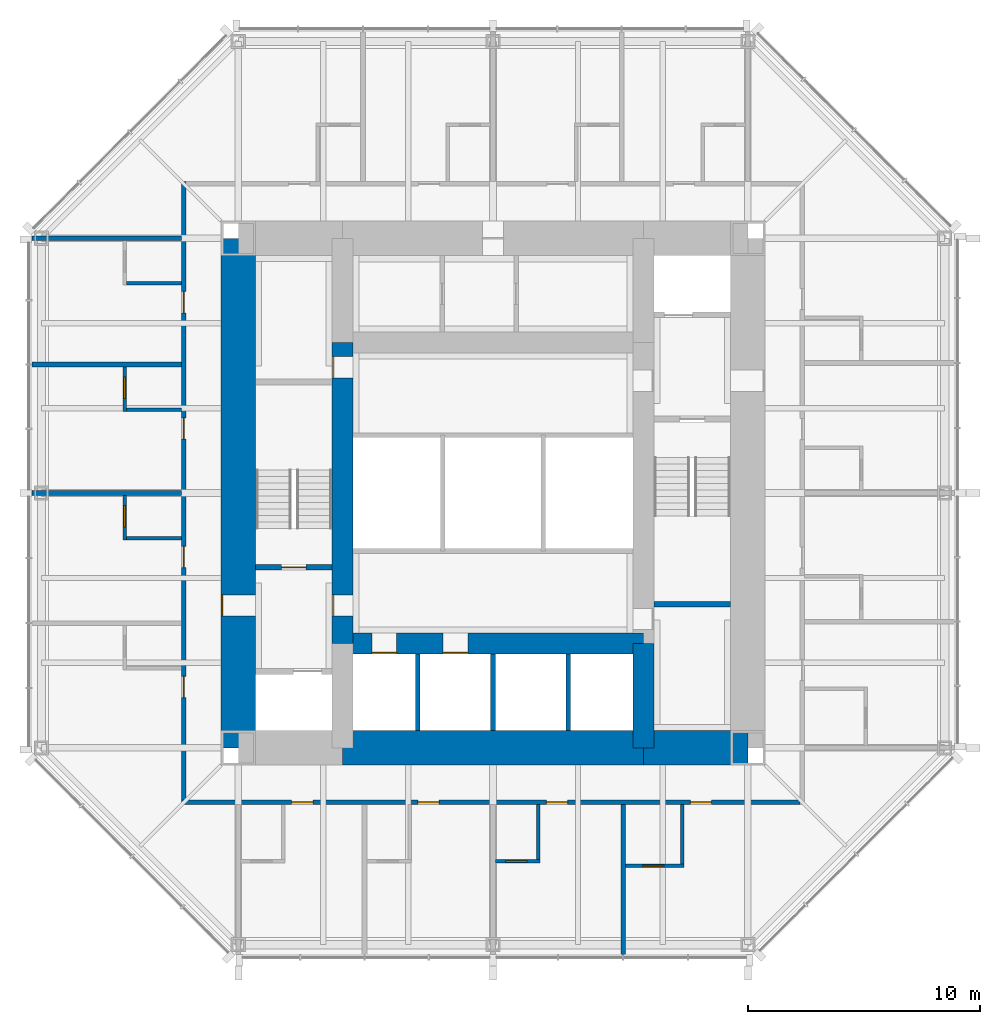
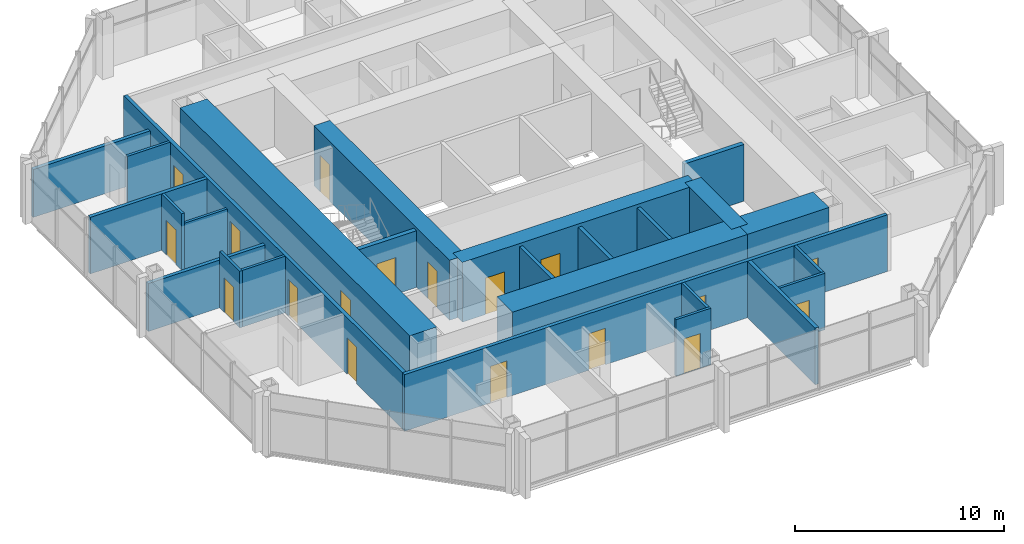
# One storey, part 8 of 12: 26 walls, 18 doors, 18 openings.
"""IFC4 building model written with IfcOpenShell, lengths in metres."""

from ifc_helpers import new_model, si_unit, direction, frame, frame_2d, origin, place, context, subcontext, project, spatial, rectangle, extrude, material, layer, layer_set, type_object, element, fill, save


model = new_model("IFC4")

# Units and contexts
model_context = context("Model", 3, precision=1e-05, world=origin(), true_north=direction((0.0, 1.0)))
body_context = subcontext(model_context, "Body", "Model", "MODEL_VIEW")
ifc_project = project(units=[si_unit("LENGTHUNIT", "METRE"), si_unit("AREAUNIT", "SQUARE_METRE"), si_unit("VOLUMEUNIT", "CUBIC_METRE"), si_unit("PLANEANGLEUNIT", "RADIAN"), si_unit("MASSUNIT", "GRAM", prefix="KILO")], contexts=[model_context])

# Site, building, storey
site_placement = place(None, origin())
site = spatial("IfcSite", under=ifc_project, at=site_placement, CompositionType="ELEMENT")
building_placement = place(site_placement, origin())
building = spatial("IfcBuilding", under=site, at=building_placement, Name="Trevanion Tower", CompositionType="ELEMENT")
storey_placement = place(building_placement, frame((0.0, 0.0, 194.199951171875)))
storey = spatial("IfcBuildingStorey", under=building, at=storey_placement, Name="L45", CompositionType="ELEMENT", Elevation=194.199951171875)

# Wall, opening, door
ifc_material_1 = material(Name="Concrete 10,000 psi", Category="concrete")
ifc_layer_1 = layer(ifc_material_1, 1.5)
ifc_layer_set_1 = layer_set([ifc_layer_1], Name="CW1 core wall 1500")
wall_type_1 = type_object("IfcWallType", Name="CW1 core wall 1500", PredefinedType="SHEAR", material=ifc_layer_set_1)
wall_1_placement = place(storey_placement, frame((-11.0, 11.0, 0.0), z_axis=(0.0, 0.0, 1.0), x_axis=(0.0, -1.0, 0.0)))
wall_1 = element("IfcWall", 1, at=wall_1_placement, inside=storey, type_object=wall_type_1, Name="CW1 CW L45", PredefinedType="SHEAR", context=body_context, shape_type="SweptSolid", body=[
    extrude(rectangle(XDim=22.0, YDim=1.5, at=frame_2d((11.0, 0.0))), origin(), (0.0, 0.0, 1.0), 3.5),
])
opening_1_placement = place(wall_1_placement, frame((15.392578125, 0.0, 0.0)))
opening_1 = element("IfcOpeningElement", 2, at=opening_1_placement, cuts=wall_1, Name="Opening 45-002", PredefinedType="OPENING", context=body_context, shape_type="SweptSolid", body=[
    extrude(rectangle(XDim=0.9150390625, YDim=2.134033203125, at=frame_2d((0.45751953125, 1.06689453125))), frame((0.0, 0.760009765625, 0.0), z_axis=(0.0, -1.0, 0.0), x_axis=(1.0, 0.0, 0.0)), (0.0, 0.0, 1.0), 1.52001953125),
])
ifc_material_2 = material(Name="Hollow metal, fire rated", Category="steel")
door_type_1 = type_object("IfcDoorType", Name="D3 fire lift lobby door", OperationType="SINGLE_SWING_RIGHT", PredefinedType="DOOR", material=ifc_material_2)
door_1_placement = place(opening_1_placement, origin())
door_1 = element("IfcDoor", 3, at=door_1_placement, inside=storey, type_object=door_type_1, Name="Door 45-002", OperationType="SINGLE_SWING_RIGHT", OverallHeight=2.134033203125, OverallWidth=0.9150390625, PredefinedType="DOOR", context=body_context, shape_type="SweptSolid", body=[
    extrude(rectangle(XDim=0.9150390625, YDim=2.134033203125, at=frame_2d((0.45751953125, 1.06689453125))), frame((0.0, -0.6748046875, 0.0), z_axis=(0.0, -1.0, 0.0), x_axis=(1.0, 0.0, 0.0)), (0.0, 0.0, 1.0), 0.050048828125),
])
fill(opening_1, door_1)

# Walls
wall_2_placement = place(storey_placement, frame((-6.5, -11.0, 0.0), z_axis=(0.0, 0.0, 1.0), x_axis=(1.0, 0.0, 0.0)))
element("IfcWall", 4, at=wall_2_placement, inside=storey, type_object=wall_type_1, Name="CW1 CS2 L45", PredefinedType="SHEAR", context=body_context, shape_type="SweptSolid", body=[
    extrude(rectangle(XDim=13.0, YDim=1.5, at=frame_2d((6.5, 0.0))), origin(), (0.0, 0.0, 1.0), 3.5),
])
wall_3_placement = place(storey_placement, frame((6.5, -11.0, 0.0), z_axis=(0.0, 0.0, 1.0), x_axis=(1.0, 0.0, 0.0)))
element("IfcWall", 5, at=wall_3_placement, inside=storey, type_object=wall_type_1, Name="CW1 CS3 L45", PredefinedType="SHEAR", context=body_context, shape_type="SweptSolid", body=[
    extrude(rectangle(XDim=4.5, YDim=1.5, at=frame_2d((2.25, 0.0))), origin(), (0.0, 0.0, 1.0), 3.5),
])
ifc_material_3 = material(Name="Concrete 10,000 psi", Category="concrete")
ifc_layer_2 = layer(ifc_material_3, 0.89990234375)
ifc_layer_set_2 = layer_set([ifc_layer_2], Name="CW2 core wall 900")
wall_type_2 = type_object("IfcWallType", Name="CW2 core wall 900", PredefinedType="SHEAR", material=ifc_layer_set_2)
wall_4_placement = place(storey_placement, frame((6.5, -11.0, 0.0), z_axis=(0.0, 0.0, 1.0), x_axis=(0.0, 1.0, 0.0)))
element("IfcWall", 6, at=wall_4_placement, inside=storey, type_object=wall_type_2, Name="CW2 RE1 L45", PredefinedType="SHEAR", context=body_context, shape_type="SweptSolid", body=[
    extrude(rectangle(XDim=4.5, YDim=0.89990234375, at=frame_2d((2.25, 0.0))), origin(), (0.0, 0.0, 1.0), 3.5),
])

# Wall, openings, doors
wall_5_placement = place(storey_placement, frame((-6.5, 6.5, 0.0), z_axis=(0.0, 0.0, 1.0), x_axis=(0.0, -1.0, 0.0)))
wall_5 = element("IfcWall", 7, at=wall_5_placement, inside=storey, type_object=wall_type_2, Name="CW2 RW2 L45", PredefinedType="SHEAR", context=body_context, shape_type="SweptSolid", body=[
    extrude(rectangle(XDim=13.0, YDim=0.89990234375, at=frame_2d((6.5, 0.0))), origin(), (0.0, 0.0, 1.0), 3.5),
])
opening_2_placement = place(wall_5_placement, frame((10.892578125, 0.0, 0.0)))
opening_2 = element("IfcOpeningElement", 8, at=opening_2_placement, cuts=wall_5, Name="Opening 45-004", PredefinedType="OPENING", context=body_context, shape_type="SweptSolid", body=[
    extrude(rectangle(XDim=0.9150390625, YDim=2.134033203125, at=frame_2d((0.45751953125, 1.06689453125))), frame((0.0, 0.4599609375, 0.0), z_axis=(0.0, -1.0, 0.0), x_axis=(1.0, 0.0, 0.0)), (0.0, 0.0, 1.0), 0.919921875),
])
opening_3_placement = place(wall_5_placement, frame((0.610107421875, 0.0, 0.0)))
opening_3 = element("IfcOpeningElement", 9, at=opening_3_placement, cuts=wall_5, Name="Opening 45-010", PredefinedType="OPENING", context=body_context, shape_type="SweptSolid", body=[
    extrude(rectangle(XDim=0.9150390625, YDim=2.134033203125, at=frame_2d((0.45751953125, 1.06689453125))), frame((0.0, 0.4599609375, 0.0), z_axis=(0.0, -1.0, 0.0), x_axis=(1.0, 0.0, 0.0)), (0.0, 0.0, 1.0), 0.919921875),
])
door_2_placement = place(opening_2_placement, origin())
door_2 = element("IfcDoor", 10, at=door_2_placement, inside=storey, type_object=door_type_1, Name="Door 45-004", OperationType="SINGLE_SWING_RIGHT", OverallHeight=2.134033203125, OverallWidth=0.9150390625, PredefinedType="DOOR", context=body_context, shape_type="SweptSolid", body=[
    extrude(rectangle(XDim=0.9150390625, YDim=2.134033203125, at=frame_2d((0.45751953125, 1.06689453125))), frame((0.0, -0.375, 0.0), z_axis=(0.0, -1.0, 0.0), x_axis=(1.0, 0.0, 0.0)), (0.0, 0.0, 1.0), 0.050048828125),
])
fill(opening_2, door_2)
ifc_material_4 = material(Name="Hollow metal, fire rated", Category="steel")
door_type_2 = type_object("IfcDoorType", Name="D5 service room door", OperationType="SINGLE_SWING_RIGHT", PredefinedType="DOOR", material=ifc_material_4)
door_3_placement = place(opening_3_placement, origin())
door_3 = element("IfcDoor", 11, at=door_3_placement, inside=storey, type_object=door_type_2, Name="Door 45-010", OperationType="SINGLE_SWING_RIGHT", OverallHeight=2.134033203125, OverallWidth=0.9150390625, PredefinedType="DOOR", context=body_context, shape_type="SweptSolid", body=[
    extrude(rectangle(XDim=0.9150390625, YDim=2.134033203125, at=frame_2d((0.45751953125, 1.06689453125))), frame((0.0, -0.375, 0.0), z_axis=(0.0, -1.0, 0.0), x_axis=(1.0, 0.0, 0.0)), (0.0, 0.0, 1.0), 0.050048828125),
])
fill(opening_3, door_3)

wall_6_placement = place(storey_placement, frame((-6.5, -6.5, 0.0), z_axis=(0.0, 0.0, 1.0), x_axis=(1.0, 0.0, 0.0)))
wall_6 = element("IfcWall", 12, at=wall_6_placement, inside=storey, type_object=wall_type_2, Name="CW2 RS L45", PredefinedType="SHEAR", context=body_context, shape_type="SweptSolid", body=[
    extrude(rectangle(XDim=13.0, YDim=0.89990234375, at=frame_2d((6.5, 0.0))), origin(), (0.0, 0.0, 1.0), 3.5),
])
opening_4_placement = place(wall_6_placement, frame((1.2666015625, 0.0, 0.0)))
opening_4 = element("IfcOpeningElement", 13, at=opening_4_placement, cuts=wall_6, Name="Opening 45-011", PredefinedType="OPENING", context=body_context, shape_type="SweptSolid", body=[
    extrude(rectangle(XDim=1.06689453125, YDim=2.134033203125, at=frame_2d((0.533447265625, 1.06689453125))), frame((0.0, 0.4599609375, 0.0), z_axis=(0.0, -1.0, 0.0), x_axis=(1.0, 0.0, 0.0)), (0.0, 0.0, 1.0), 0.919921875),
])
opening_5_placement = place(wall_6_placement, frame((4.341552734375, 0.0, 0.0)))
opening_5 = element("IfcOpeningElement", 14, at=opening_5_placement, cuts=wall_6, Name="Opening 45-012", PredefinedType="OPENING", context=body_context, shape_type="SweptSolid", body=[
    extrude(rectangle(XDim=1.06689453125, YDim=2.134033203125, at=frame_2d((0.533447265625, 1.06689453125))), frame((0.0, 0.4599609375, 0.0), z_axis=(0.0, -1.0, 0.0), x_axis=(1.0, 0.0, 0.0)), (0.0, 0.0, 1.0), 0.919921875),
])
ifc_material_5 = material(Name="Stainless steel, fire rated", Category="steel")
door_type_3 = type_object("IfcDoorType", Name="LD1 lift landing door", OperationType="SLIDING_TO_LEFT", PredefinedType="DOOR", material=ifc_material_5)
door_4_placement = place(opening_4_placement, origin())
door_4 = element("IfcDoor", 15, at=door_4_placement, inside=storey, type_object=door_type_3, Name="Door 45-011", OperationType="SLIDING_TO_LEFT", OverallHeight=2.134033203125, OverallWidth=1.06689453125, PredefinedType="DOOR", context=body_context, shape_type="SweptSolid", body=[
    extrude(rectangle(XDim=1.06689453125, YDim=2.134033203125, at=frame_2d((0.533447265625, 1.06689453125))), frame((0.0, -0.375, 0.0), z_axis=(0.0, -1.0, 0.0), x_axis=(1.0, 0.0, 0.0)), (0.0, 0.0, 1.0), 0.050048828125),
])
fill(opening_4, door_4)
door_5_placement = place(opening_5_placement, origin())
door_5 = element("IfcDoor", 16, at=door_5_placement, inside=storey, type_object=door_type_3, Name="Door 45-012", OperationType="SLIDING_TO_LEFT", OverallHeight=2.134033203125, OverallWidth=1.06689453125, PredefinedType="DOOR", context=body_context, shape_type="SweptSolid", body=[
    extrude(rectangle(XDim=1.06689453125, YDim=2.134033203125, at=frame_2d((0.533447265625, 1.06689453125))), frame((0.0, -0.375, 0.0), z_axis=(0.0, -1.0, 0.0), x_axis=(1.0, 0.0, 0.0)), (0.0, 0.0, 1.0), 0.050048828125),
])
fill(opening_5, door_5)

# Wall
ifc_material_6 = material(Name="Gypsum board on steel studs", Category="steel")
ifc_layer_3 = layer(ifc_material_6, 0.14990234375)
ifc_layer_set_3 = layer_set([ifc_layer_3], Name="PT1 partition 150")
wall_type_3 = type_object("IfcWallType", Name="PT1 partition 150", PredefinedType="PARTITIONING", material=ifc_layer_set_3)
wall_7_placement = place(storey_placement, frame((-13.449951171875, 9.050048828125, 0.0), z_axis=(0.0, 0.0, 1.0), x_axis=(-1.0, 0.0, 0.0)))
element("IfcWall", 17, at=wall_7_placement, inside=storey, type_object=wall_type_3, Name="PT1 L45 BB20", PredefinedType="PARTITIONING", context=body_context, shape_type="SweptSolid", body=[
    extrude(rectangle(XDim=2.375, YDim=0.14990234375, at=frame_2d((1.1875, 0.0))), origin(), (0.0, 0.0, 1.0), 3.31005859375),
])

# Wall, opening, door
wall_8_placement = place(storey_placement, frame((-15.89990234375, 5.448974609375, 0.0), z_axis=(0.0, 0.0, 1.0), x_axis=(0.0, -1.0, 0.0)))
wall_8 = element("IfcWall", 18, at=wall_8_placement, inside=storey, type_object=wall_type_3, Name="PT1 L45 BA21", PredefinedType="PARTITIONING", context=body_context, shape_type="SweptSolid", body=[
    extrude(rectangle(XDim=1.925048828125, YDim=0.14990234375, at=frame_2d((0.96240234375, 0.0))), origin(), (0.0, 0.0, 1.0), 3.31005859375),
])
opening_6_placement = place(wall_8_placement, frame((0.4423828125, 0.0, 0.0)))
opening_6 = element("IfcOpeningElement", 19, at=opening_6_placement, cuts=wall_8, Name="Opening 45-034", PredefinedType="OPENING", context=body_context, shape_type="SweptSolid", body=[
    extrude(rectangle(XDim=0.9150390625, YDim=2.031982421875, at=frame_2d((0.45751953125, 1.01611328125))), frame((0.0, 0.0849609375, 0.0), z_axis=(0.0, -1.0, 0.0), x_axis=(1.0, 0.0, 0.0)), (0.0, 0.0, 1.0), 0.169921875),
])
ifc_material_7 = material(Name="Timber veneer", Category="wood")
door_type_4 = type_object("IfcDoorType", Name="D7 bathroom door", OperationType="SINGLE_SWING_LEFT", PredefinedType="DOOR", material=ifc_material_7)
door_6_placement = place(opening_6_placement, origin())
door_6 = element("IfcDoor", 20, at=door_6_placement, inside=storey, type_object=door_type_4, Name="Door 45-034", OperationType="SINGLE_SWING_LEFT", OverallHeight=2.031982421875, OverallWidth=0.9150390625, PredefinedType="DOOR", context=body_context, shape_type="SweptSolid", body=[
    extrude(rectangle(XDim=0.9150390625, YDim=2.031982421875, at=frame_2d((0.45751953125, 1.01611328125))), frame((0.0, 0.02490234375, 0.0), z_axis=(0.0, -1.0, 0.0), x_axis=(1.0, 0.0, 0.0)), (0.0, 0.0, 1.0), 0.050048828125),
])
fill(opening_6, door_6)

# Wall
wall_9_placement = place(storey_placement, frame((-13.449951171875, 3.59912109375, 0.0), z_axis=(0.0, 0.0, 1.0), x_axis=(-1.0, 0.0, 0.0)))
element("IfcWall", 21, at=wall_9_placement, inside=storey, type_object=wall_type_3, Name="PT1 L45 BB21", PredefinedType="PARTITIONING", context=body_context, shape_type="SweptSolid", body=[
    extrude(rectangle(XDim=2.375, YDim=0.14990234375, at=frame_2d((1.1875, 0.0))), origin(), (0.0, 0.0, 1.0), 2.703125),
])

# Wall, opening, door
wall_10_placement = place(storey_placement, frame((-15.89990234375, -0.10009765625, 0.0), z_axis=(0.0, 0.0, 1.0), x_axis=(0.0, -1.0, 0.0)))
wall_10 = element("IfcWall", 22, at=wall_10_placement, inside=storey, type_object=wall_type_3, Name="PT1 L45 BA22", PredefinedType="PARTITIONING", context=body_context, shape_type="SweptSolid", body=[
    extrude(rectangle(XDim=1.9248046875, YDim=0.14990234375, at=frame_2d((0.96240234375, 0.0))), origin(), (0.0, 0.0, 1.0), 3.31005859375),
])
opening_7_placement = place(wall_10_placement, frame((0.4423828125, 0.0, 0.0)))
opening_7 = element("IfcOpeningElement", 23, at=opening_7_placement, cuts=wall_10, Name="Opening 45-036", PredefinedType="OPENING", context=body_context, shape_type="SweptSolid", body=[
    extrude(rectangle(XDim=0.9150390625, YDim=2.031982421875, at=frame_2d((0.45751953125, 1.01611328125))), frame((0.0, 0.0849609375, 0.0), z_axis=(0.0, -1.0, 0.0), x_axis=(1.0, 0.0, 0.0)), (0.0, 0.0, 1.0), 0.169921875),
])
door_7_placement = place(opening_7_placement, origin())
door_7 = element("IfcDoor", 24, at=door_7_placement, inside=storey, type_object=door_type_4, Name="Door 45-036", OperationType="SINGLE_SWING_LEFT", OverallHeight=2.031982421875, OverallWidth=0.9150390625, PredefinedType="DOOR", context=body_context, shape_type="SweptSolid", body=[
    extrude(rectangle(XDim=0.9150390625, YDim=2.031982421875, at=frame_2d((0.45751953125, 1.01611328125))), frame((0.0, 0.02490234375, 0.0), z_axis=(0.0, -1.0, 0.0), x_axis=(1.0, 0.0, 0.0)), (0.0, 0.0, 1.0), 0.050048828125),
])
fill(opening_7, door_7)

# Wall
wall_11_placement = place(storey_placement, frame((-13.449951171875, -1.949951171875, 0.0), z_axis=(0.0, 0.0, 1.0), x_axis=(-1.0, 0.0, 0.0)))
element("IfcWall", 25, at=wall_11_placement, inside=storey, type_object=wall_type_3, Name="PT1 L45 BB22", PredefinedType="PARTITIONING", context=body_context, shape_type="SweptSolid", body=[
    extrude(rectangle(XDim=2.375, YDim=0.14990234375, at=frame_2d((1.1875, 0.0))), origin(), (0.0, 0.0, 1.0), 3.31005859375),
])

# Wall, opening, door
wall_12_placement = place(storey_placement, frame((0.10009765625, -15.89990234375, 0.0), z_axis=(0.0, 0.0, 1.0), x_axis=(1.0, 0.0, 0.0)))
wall_12 = element("IfcWall", 26, at=wall_12_placement, inside=storey, type_object=wall_type_3, Name="PT1 L45 BA32", PredefinedType="PARTITIONING", context=body_context, shape_type="SweptSolid", body=[
    extrude(rectangle(XDim=1.9248046875, YDim=0.14990234375, at=frame_2d((0.96240234375, 0.0))), origin(), (0.0, 0.0, 1.0), 3.31005859375),
])
opening_8_placement = place(wall_12_placement, frame((0.4423828125, 0.0, 0.0)))
opening_8 = element("IfcOpeningElement", 27, at=opening_8_placement, cuts=wall_12, Name="Opening 45-044", PredefinedType="OPENING", context=body_context, shape_type="SweptSolid", body=[
    extrude(rectangle(XDim=0.9150390625, YDim=2.031982421875, at=frame_2d((0.45751953125, 1.01611328125))), frame((0.0, 0.0849609375, 0.0), z_axis=(0.0, -1.0, 0.0), x_axis=(1.0, 0.0, 0.0)), (0.0, 0.0, 1.0), 0.169921875),
])
door_8_placement = place(opening_8_placement, origin())
door_8 = element("IfcDoor", 28, at=door_8_placement, inside=storey, type_object=door_type_4, Name="Door 45-044", OperationType="SINGLE_SWING_LEFT", OverallHeight=2.031982421875, OverallWidth=0.9150390625, PredefinedType="DOOR", context=body_context, shape_type="SweptSolid", body=[
    extrude(rectangle(XDim=0.9150390625, YDim=2.031982421875, at=frame_2d((0.45751953125, 1.01611328125))), frame((0.0, 0.02490234375, 0.0), z_axis=(0.0, -1.0, 0.0), x_axis=(1.0, 0.0, 0.0)), (0.0, 0.0, 1.0), 0.050048828125),
])
fill(opening_8, door_8)

# Wall
wall_13_placement = place(storey_placement, frame((1.949951171875, -13.449951171875, 0.0), z_axis=(0.0, 0.0, 1.0), x_axis=(0.0, -1.0, 0.0)))
element("IfcWall", 29, at=wall_13_placement, inside=storey, type_object=wall_type_3, Name="PT1 L45 BB32", PredefinedType="PARTITIONING", context=body_context, shape_type="SweptSolid", body=[
    extrude(rectangle(XDim=2.375, YDim=0.14990234375, at=frame_2d((1.1875, 0.0))), origin(), (0.0, 0.0, 1.0), 3.31005859375),
])

# Wall, opening, door
wall_14_placement = place(storey_placement, frame((5.714111328125, -16.10009765625, 0.0), z_axis=(0.0, 0.0, 1.0), x_axis=(1.0, 0.0, 0.0)))
wall_14 = element("IfcWall", 30, at=wall_14_placement, inside=storey, type_object=wall_type_3, Name="PT1 L45 BA33", PredefinedType="PARTITIONING", context=body_context, shape_type="SweptSolid", body=[
    extrude(rectangle(XDim=2.52490234375, YDim=0.14990234375, at=frame_2d((1.262451171875, 0.0))), origin(), (0.0, 0.0, 1.0), 3.31005859375),
])
opening_9_placement = place(wall_14_placement, frame((0.742431640625, 0.0, 0.0)))
opening_9 = element("IfcOpeningElement", 31, at=opening_9_placement, cuts=wall_14, Name="Opening 45-046", PredefinedType="OPENING", context=body_context, shape_type="SweptSolid", body=[
    extrude(rectangle(XDim=0.9150390625, YDim=2.031982421875, at=frame_2d((0.45751953125, 1.01611328125))), frame((0.0, 0.0849609375, 0.0), z_axis=(0.0, -1.0, 0.0), x_axis=(1.0, 0.0, 0.0)), (0.0, 0.0, 1.0), 0.169921875),
])
door_9_placement = place(opening_9_placement, origin())
door_9 = element("IfcDoor", 32, at=door_9_placement, inside=storey, type_object=door_type_4, Name="Door 45-046", OperationType="SINGLE_SWING_LEFT", OverallHeight=2.031982421875, OverallWidth=0.9150390625, PredefinedType="DOOR", context=body_context, shape_type="SweptSolid", body=[
    extrude(rectangle(XDim=0.9150390625, YDim=2.031982421875, at=frame_2d((0.45751953125, 1.01611328125))), frame((0.0, 0.02490234375, 0.0), z_axis=(0.0, -1.0, 0.0), x_axis=(1.0, 0.0, 0.0)), (0.0, 0.0, 1.0), 0.050048828125),
])
fill(opening_9, door_9)

# Wall
wall_15_placement = place(storey_placement, frame((8.1640625, -13.449951171875, 0.0), z_axis=(0.0, 0.0, 1.0), x_axis=(0.0, -1.0, 0.0)))
element("IfcWall", 33, at=wall_15_placement, inside=storey, type_object=wall_type_3, Name="PT1 L45 BB33", PredefinedType="PARTITIONING", context=body_context, shape_type="SweptSolid", body=[
    extrude(rectangle(XDim=2.574951171875, YDim=0.14990234375, at=frame_2d((1.28759765625, 0.0))), origin(), (0.0, 0.0, 1.0), 3.31005859375),
])

# Wall, openings, doors
ifc_material_8 = material(Name="Concrete masonry, grouted", Category="masonry")
ifc_layer_4 = layer(ifc_material_8, 0.199951171875)
ifc_layer_set_4 = layer_set([ifc_layer_4], Name="PT2 partition 200 1 HR")
wall_type_4 = type_object("IfcWallType", Name="PT2 partition 200 1 HR", PredefinedType="PARTITIONING", material=ifc_layer_set_4)
wall_16_placement = place(storey_placement, frame((-13.35009765625, 13.449951171875, 0.0), z_axis=(0.0, 0.0, 1.0), x_axis=(0.0, -1.0, 0.0)))
wall_16 = element("IfcWall", 34, at=wall_16_placement, inside=storey, type_object=wall_type_4, Name="PT2 L45 HC2", PredefinedType="PARTITIONING", context=body_context, shape_type="SweptSolid", body=[
    extrude(rectangle(XDim=26.699951171875, YDim=0.199951171875, at=frame_2d((13.35009765625, 0.0))), origin(), (0.0, 0.0, 1.0), 3.31005859375),
])
opening_10_placement = place(wall_16_placement, frame((4.75244140625, 0.0, 0.0)))
opening_10 = element("IfcOpeningElement", 35, at=opening_10_placement, cuts=wall_16, Name="Opening 45-033", PredefinedType="OPENING", context=body_context, shape_type="SweptSolid", body=[
    extrude(rectangle(XDim=0.9150390625, YDim=2.134033203125, at=frame_2d((0.45751953125, 1.06689453125))), frame((0.0, 0.10986328125, 0.0), z_axis=(0.0, -1.0, 0.0), x_axis=(1.0, 0.0, 0.0)), (0.0, 0.0, 1.0), 0.219970703125),
])
opening_11_placement = place(wall_16_placement, frame((10.20361328125, 0.0, 0.0)))
opening_11 = element("IfcOpeningElement", 36, at=opening_11_placement, cuts=wall_16, Name="Opening 45-035", PredefinedType="OPENING", context=body_context, shape_type="SweptSolid", body=[
    extrude(rectangle(XDim=0.9150390625, YDim=2.134033203125, at=frame_2d((0.45751953125, 1.06689453125))), frame((0.0, 0.10986328125, 0.0), z_axis=(0.0, -1.0, 0.0), x_axis=(1.0, 0.0, 0.0)), (0.0, 0.0, 1.0), 0.219970703125),
])
opening_12_placement = place(wall_16_placement, frame((15.75244140625, 0.0, 0.0)))
opening_12 = element("IfcOpeningElement", 37, at=opening_12_placement, cuts=wall_16, Name="Opening 45-037", PredefinedType="OPENING", context=body_context, shape_type="SweptSolid", body=[
    extrude(rectangle(XDim=0.9150390625, YDim=2.134033203125, at=frame_2d((0.45751953125, 1.06689453125))), frame((0.0, 0.10986328125, 0.0), z_axis=(0.0, -1.0, 0.0), x_axis=(1.0, 0.0, 0.0)), (0.0, 0.0, 1.0), 0.219970703125),
])
opening_13_placement = place(wall_16_placement, frame((21.366455078125, 0.0, 0.0)))
opening_13 = element("IfcOpeningElement", 38, at=opening_13_placement, cuts=wall_16, Name="Opening 45-039", PredefinedType="OPENING", context=body_context, shape_type="SweptSolid", body=[
    extrude(rectangle(XDim=0.9150390625, YDim=2.134033203125, at=frame_2d((0.45751953125, 1.06689453125))), frame((0.0, 0.10986328125, 0.0), z_axis=(0.0, -1.0, 0.0), x_axis=(1.0, 0.0, 0.0)), (0.0, 0.0, 1.0), 0.219970703125),
])
ifc_material_9 = material(Name="Timber veneer, fire rated", Category="wood")
door_type_5 = type_object("IfcDoorType", Name="D6 guest room entrance door", OperationType="SINGLE_SWING_LEFT", PredefinedType="DOOR", material=ifc_material_9)
door_10_placement = place(opening_10_placement, origin())
door_10 = element("IfcDoor", 39, at=door_10_placement, inside=storey, type_object=door_type_5, Name="Door 45-033", OperationType="SINGLE_SWING_LEFT", OverallHeight=2.134033203125, OverallWidth=0.9150390625, PredefinedType="DOOR", context=body_context, shape_type="SweptSolid", body=[
    extrude(rectangle(XDim=0.9150390625, YDim=2.134033203125, at=frame_2d((0.45751953125, 1.06689453125))), frame((0.0, 0.02490234375, 0.0), z_axis=(0.0, -1.0, 0.0), x_axis=(1.0, 0.0, 0.0)), (0.0, 0.0, 1.0), 0.050048828125),
])
fill(opening_10, door_10)
door_11_placement = place(opening_11_placement, origin())
door_11 = element("IfcDoor", 40, at=door_11_placement, inside=storey, type_object=door_type_5, Name="Door 45-035", OperationType="SINGLE_SWING_LEFT", OverallHeight=2.134033203125, OverallWidth=0.9150390625, PredefinedType="DOOR", context=body_context, shape_type="SweptSolid", body=[
    extrude(rectangle(XDim=0.9150390625, YDim=2.134033203125, at=frame_2d((0.45751953125, 1.06689453125))), frame((0.0, 0.02490234375, 0.0), z_axis=(0.0, -1.0, 0.0), x_axis=(1.0, 0.0, 0.0)), (0.0, 0.0, 1.0), 0.050048828125),
])
fill(opening_11, door_11)
door_12_placement = place(opening_12_placement, origin())
door_12 = element("IfcDoor", 41, at=door_12_placement, inside=storey, type_object=door_type_5, Name="Door 45-037", OperationType="SINGLE_SWING_LEFT", OverallHeight=2.134033203125, OverallWidth=0.9150390625, PredefinedType="DOOR", context=body_context, shape_type="SweptSolid", body=[
    extrude(rectangle(XDim=0.9150390625, YDim=2.134033203125, at=frame_2d((0.45751953125, 1.06689453125))), frame((0.0, 0.02490234375, 0.0), z_axis=(0.0, -1.0, 0.0), x_axis=(1.0, 0.0, 0.0)), (0.0, 0.0, 1.0), 0.050048828125),
])
fill(opening_12, door_12)
door_13_placement = place(opening_13_placement, origin())
door_13 = element("IfcDoor", 42, at=door_13_placement, inside=storey, type_object=door_type_5, Name="Door 45-039", OperationType="SINGLE_SWING_LEFT", OverallHeight=2.134033203125, OverallWidth=0.9150390625, PredefinedType="DOOR", context=body_context, shape_type="SweptSolid", body=[
    extrude(rectangle(XDim=0.9150390625, YDim=2.134033203125, at=frame_2d((0.45751953125, 1.06689453125))), frame((0.0, 0.02490234375, 0.0), z_axis=(0.0, -1.0, 0.0), x_axis=(1.0, 0.0, 0.0)), (0.0, 0.0, 1.0), 0.050048828125),
])
fill(opening_13, door_13)

wall_17_placement = place(storey_placement, frame((-13.449951171875, -13.35009765625, 0.0), z_axis=(0.0, 0.0, 1.0), x_axis=(1.0, 0.0, 0.0)))
wall_17 = element("IfcWall", 43, at=wall_17_placement, inside=storey, type_object=wall_type_4, Name="PT2 L45 HC3", PredefinedType="PARTITIONING", context=body_context, shape_type="SweptSolid", body=[
    extrude(rectangle(XDim=26.699951171875, YDim=0.199951171875, at=frame_2d((13.35009765625, 0.0))), origin(), (0.0, 0.0, 1.0), 3.31005859375),
])
opening_14_placement = place(wall_17_placement, frame((4.75244140625, 0.0, 0.0)))
opening_14 = element("IfcOpeningElement", 44, at=opening_14_placement, cuts=wall_17, Name="Opening 45-041", PredefinedType="OPENING", context=body_context, shape_type="SweptSolid", body=[
    extrude(rectangle(XDim=0.9150390625, YDim=2.134033203125, at=frame_2d((0.45751953125, 1.06689453125))), frame((0.0, 0.10986328125, 0.0), z_axis=(0.0, -1.0, 0.0), x_axis=(1.0, 0.0, 0.0)), (0.0, 0.0, 1.0), 0.219970703125),
])
opening_15_placement = place(wall_17_placement, frame((10.20361328125, 0.0, 0.0)))
opening_15 = element("IfcOpeningElement", 45, at=opening_15_placement, cuts=wall_17, Name="Opening 45-043", PredefinedType="OPENING", context=body_context, shape_type="SweptSolid", body=[
    extrude(rectangle(XDim=0.9150390625, YDim=2.134033203125, at=frame_2d((0.45751953125, 1.06689453125))), frame((0.0, 0.10986328125, 0.0), z_axis=(0.0, -1.0, 0.0), x_axis=(1.0, 0.0, 0.0)), (0.0, 0.0, 1.0), 0.219970703125),
])
opening_16_placement = place(wall_17_placement, frame((15.75244140625, 0.0, 0.0)))
opening_16 = element("IfcOpeningElement", 46, at=opening_16_placement, cuts=wall_17, Name="Opening 45-045", PredefinedType="OPENING", context=body_context, shape_type="SweptSolid", body=[
    extrude(rectangle(XDim=0.9150390625, YDim=2.134033203125, at=frame_2d((0.45751953125, 1.06689453125))), frame((0.0, 0.10986328125, 0.0), z_axis=(0.0, -1.0, 0.0), x_axis=(1.0, 0.0, 0.0)), (0.0, 0.0, 1.0), 0.219970703125),
])
opening_17_placement = place(wall_17_placement, frame((21.966552734375, 0.0, 0.0)))
opening_17 = element("IfcOpeningElement", 47, at=opening_17_placement, cuts=wall_17, Name="Opening 45-047", PredefinedType="OPENING", context=body_context, shape_type="SweptSolid", body=[
    extrude(rectangle(XDim=0.9150390625, YDim=2.134033203125, at=frame_2d((0.45751953125, 1.06689453125))), frame((0.0, 0.10986328125, 0.0), z_axis=(0.0, -1.0, 0.0), x_axis=(1.0, 0.0, 0.0)), (0.0, 0.0, 1.0), 0.219970703125),
])
door_14_placement = place(opening_14_placement, origin())
door_14 = element("IfcDoor", 48, at=door_14_placement, inside=storey, type_object=door_type_5, Name="Door 45-041", OperationType="SINGLE_SWING_LEFT", OverallHeight=2.134033203125, OverallWidth=0.9150390625, PredefinedType="DOOR", context=body_context, shape_type="SweptSolid", body=[
    extrude(rectangle(XDim=0.9150390625, YDim=2.134033203125, at=frame_2d((0.45751953125, 1.06689453125))), frame((0.0, 0.02490234375, 0.0), z_axis=(0.0, -1.0, 0.0), x_axis=(1.0, 0.0, 0.0)), (0.0, 0.0, 1.0), 0.050048828125),
])
fill(opening_14, door_14)
door_15_placement = place(opening_15_placement, origin())
door_15 = element("IfcDoor", 49, at=door_15_placement, inside=storey, type_object=door_type_5, Name="Door 45-043", OperationType="SINGLE_SWING_LEFT", OverallHeight=2.134033203125, OverallWidth=0.9150390625, PredefinedType="DOOR", context=body_context, shape_type="SweptSolid", body=[
    extrude(rectangle(XDim=0.9150390625, YDim=2.134033203125, at=frame_2d((0.45751953125, 1.06689453125))), frame((0.0, 0.02490234375, 0.0), z_axis=(0.0, -1.0, 0.0), x_axis=(1.0, 0.0, 0.0)), (0.0, 0.0, 1.0), 0.050048828125),
])
fill(opening_15, door_15)
door_16_placement = place(opening_16_placement, origin())
door_16 = element("IfcDoor", 50, at=door_16_placement, inside=storey, type_object=door_type_5, Name="Door 45-045", OperationType="SINGLE_SWING_LEFT", OverallHeight=2.134033203125, OverallWidth=0.9150390625, PredefinedType="DOOR", context=body_context, shape_type="SweptSolid", body=[
    extrude(rectangle(XDim=0.9150390625, YDim=2.134033203125, at=frame_2d((0.45751953125, 1.06689453125))), frame((0.0, 0.02490234375, 0.0), z_axis=(0.0, -1.0, 0.0), x_axis=(1.0, 0.0, 0.0)), (0.0, 0.0, 1.0), 0.050048828125),
])
fill(opening_16, door_16)
door_17_placement = place(opening_17_placement, origin())
door_17 = element("IfcDoor", 51, at=door_17_placement, inside=storey, type_object=door_type_5, Name="Door 45-047", OperationType="SINGLE_SWING_LEFT", OverallHeight=2.134033203125, OverallWidth=0.9150390625, PredefinedType="DOOR", context=body_context, shape_type="SweptSolid", body=[
    extrude(rectangle(XDim=0.9150390625, YDim=2.134033203125, at=frame_2d((0.45751953125, 1.06689453125))), frame((0.0, 0.02490234375, 0.0), z_axis=(0.0, -1.0, 0.0), x_axis=(1.0, 0.0, 0.0)), (0.0, 0.0, 1.0), 0.050048828125),
])
fill(opening_17, door_17)

# Walls
wall_18_placement = place(storey_placement, frame((-13.449951171875, 11.0, 0.0), z_axis=(0.0, 0.0, 1.0), x_axis=(-1.0, 0.0, 0.0)))
element("IfcWall", 52, at=wall_18_placement, inside=storey, type_object=wall_type_4, Name="PT2 L45 HD20", PredefinedType="PARTITIONING", context=body_context, shape_type="SweptSolid", body=[
    extrude(rectangle(XDim=6.465087890625, YDim=0.199951171875, at=frame_2d((3.232421875, 0.0))), origin(), (0.0, 0.0, 1.0), 2.802001953125),
])
wall_19_placement = place(storey_placement, frame((-13.449951171875, 5.549072265625, 0.0), z_axis=(0.0, 0.0, 1.0), x_axis=(-1.0, 0.0, 0.0)))
element("IfcWall", 53, at=wall_19_placement, inside=storey, type_object=wall_type_4, Name="PT2 L45 HD21", PredefinedType="PARTITIONING", context=body_context, shape_type="SweptSolid", body=[
    extrude(rectangle(XDim=6.465087890625, YDim=0.199951171875, at=frame_2d((3.232421875, 0.0))), origin(), (0.0, 0.0, 1.0), 3.31005859375),
])
wall_20_placement = place(storey_placement, frame((-13.449951171875, 0.0, 0.0), z_axis=(0.0, 0.0, 1.0), x_axis=(-1.0, 0.0, 0.0)))
element("IfcWall", 54, at=wall_20_placement, inside=storey, type_object=wall_type_4, Name="PT2 L45 HD22", PredefinedType="PARTITIONING", context=body_context, shape_type="SweptSolid", body=[
    extrude(rectangle(XDim=6.465087890625, YDim=0.199951171875, at=frame_2d((3.232421875, 0.0))), origin(), (0.0, 0.0, 1.0), 2.802001953125),
])
wall_21_placement = place(storey_placement, frame((5.614013671875, -13.449951171875, 0.0), z_axis=(0.0, 0.0, 1.0), x_axis=(0.0, -1.0, 0.0)))
element("IfcWall", 55, at=wall_21_placement, inside=storey, type_object=wall_type_4, Name="PT2 L45 HD33", PredefinedType="PARTITIONING", context=body_context, shape_type="SweptSolid", body=[
    extrude(rectangle(XDim=6.465087890625, YDim=0.199951171875, at=frame_2d((3.232421875, 0.0))), origin(), (0.0, 0.0, 1.0), 3.31005859375),
])
ifc_material_10 = material(Name="Concrete masonry, grouted", Category="masonry")
ifc_layer_5 = layer(ifc_material_10, 0.199951171875)
ifc_layer_set_5 = layer_set([ifc_layer_5], Name="PT2 partition 200 2 HR")
wall_type_5 = type_object("IfcWallType", Name="PT2 partition 200 2 HR", PredefinedType="PARTITIONING", material=ifc_layer_set_5)
for number, where, z_axis, x_axis, name in (
    (56, (-3.25, -10.25, 0.0), (0.0, 0.0, 1.0), (0.0, 1.0, 0.0), "PT2 L45 SS0"),
    (57, (0.0, -10.25, 0.0), (0.0, 0.0, 1.0), (0.0, 1.0, 0.0), "PT2 L45 SS1"),
    (58, (3.25, -10.25, 0.0), (0.0, 0.0, 1.0), (0.0, 1.0, 0.0), "PT2 L45 SS2"),
):
    element("IfcWall", number, at=place(storey_placement, frame(where, z_axis=z_axis, x_axis=x_axis)), inside=storey, type_object=wall_type_5, Name=name, PredefinedType="PARTITIONING", context=body_context, shape_type="SweptSolid", body=[
        extrude(rectangle(XDim=3.300048828125, YDim=0.199951171875, at=frame_2d((1.64990234375, 0.0))), origin(), (0.0, 0.0, 1.0), 3.31005859375),
    ])
ifc_material_11 = material(Name="Reinforced masonry, fully grouted", Category="masonry")
ifc_layer_6 = layer(ifc_material_11, 0.25)
ifc_layer_set_6 = layer_set([ifc_layer_6], Name="SW1 stair shaft wall 250")
wall_type_6 = type_object("IfcWallType", Name="SW1 stair shaft wall 250", PredefinedType="SOLIDWALL", material=ifc_layer_set_6)
wall_22_placement = place(storey_placement, frame((6.949951171875, -4.800048828125, 0.0), z_axis=(0.0, 0.0, 1.0), x_axis=(1.0, 0.0, 0.0)))
element("IfcWall", 59, at=wall_22_placement, inside=storey, type_object=wall_type_6, Name="SW1 L45 EP1", PredefinedType="SOLIDWALL", context=body_context, shape_type="SweptSolid", body=[
    extrude(rectangle(XDim=3.300048828125, YDim=0.25, at=frame_2d((1.64990234375, 0.0))), origin(), (0.0, 0.0, 1.0), 3.31005859375),
])

# Wall, opening, door
wall_23_placement = place(storey_placement, frame((-6.949951171875, -3.199951171875, 0.0), z_axis=(0.0, 0.0, 1.0), x_axis=(-1.0, 0.0, 0.0)))
wall_23 = element("IfcWall", 60, at=wall_23_placement, inside=storey, type_object=wall_type_6, Name="SW1 L45 WP2", PredefinedType="SOLIDWALL", context=body_context, shape_type="SweptSolid", body=[
    extrude(rectangle(XDim=3.300048828125, YDim=0.25, at=frame_2d((1.64990234375, 0.0))), origin(), (0.0, 0.0, 1.0), 3.31005859375),
])
opening_18_placement = place(wall_23_placement, frame((1.116455078125, 0.0, 0.0)))
opening_18 = element("IfcOpeningElement", 61, at=opening_18_placement, cuts=wall_23, Name="Opening 45-006", PredefinedType="OPENING", context=body_context, shape_type="SweptSolid", body=[
    extrude(rectangle(XDim=1.06689453125, YDim=2.134033203125, at=frame_2d((0.533447265625, 1.06689453125))), frame((0.0, 0.135009765625, 0.0), z_axis=(0.0, -1.0, 0.0), x_axis=(1.0, 0.0, 0.0)), (0.0, 0.0, 1.0), 0.27001953125),
])
ifc_material_12 = material(Name="Hollow metal, fire rated", Category="steel")
door_type_6 = type_object("IfcDoorType", Name="D2 exit stair door", OperationType="SINGLE_SWING_LEFT", PredefinedType="DOOR", material=ifc_material_12)
door_18_placement = place(opening_18_placement, origin())
door_18 = element("IfcDoor", 62, at=door_18_placement, inside=storey, type_object=door_type_6, Name="Door 45-006", OperationType="SINGLE_SWING_LEFT", OverallHeight=2.134033203125, OverallWidth=1.06689453125, PredefinedType="DOOR", context=body_context, shape_type="SweptSolid", body=[
    extrude(rectangle(XDim=1.06689453125, YDim=2.134033203125, at=frame_2d((0.533447265625, 1.06689453125))), frame((0.0, 0.02490234375, 0.0), z_axis=(0.0, -1.0, 0.0), x_axis=(1.0, 0.0, 0.0)), (0.0, 0.0, 1.0), 0.050048828125),
])
fill(opening_18, door_18)

save(model, "model.ifc")
